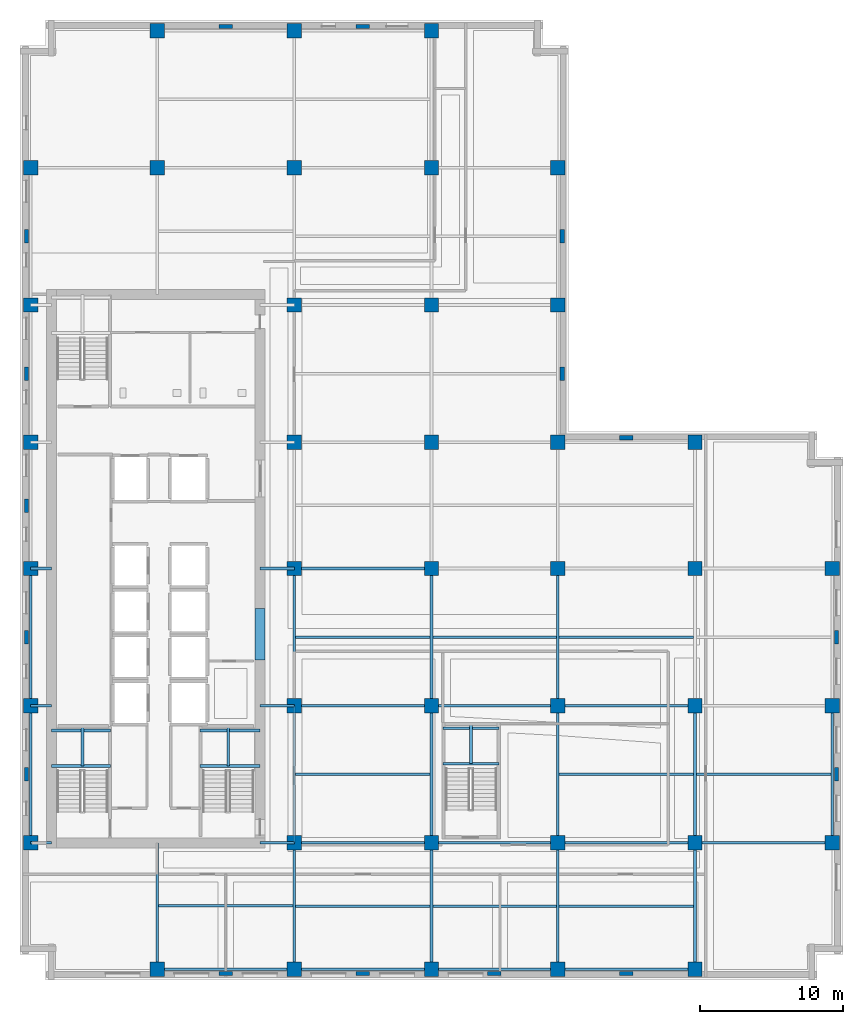
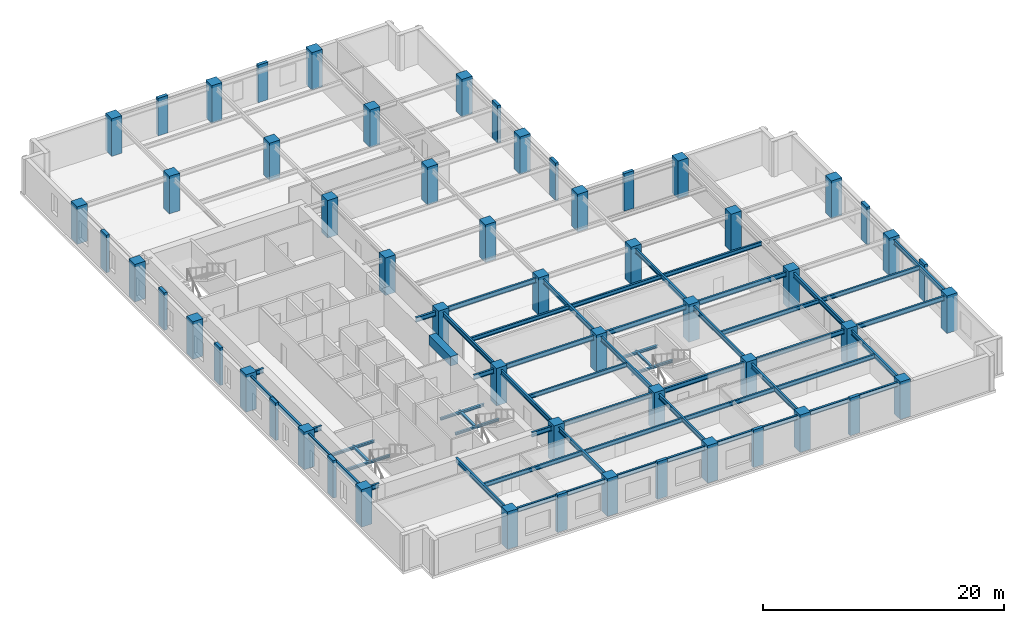
# One storey, part 1 of 12: 56 columns, 53 beams.
"""IFC4 building model written with IfcOpenShell, lengths in metres."""

from ifc_helpers import new_model, si_unit, direction, frame, origin, origin_2d, place, context, subcontext, project, spatial, rectangle, i_section, extrude, material, material_profile, profile_set, type_object, element, save


model = new_model("IFC4")

# Units and contexts
model_context = context("Model", 3, precision=1e-05, world=origin(), true_north=direction((0.0, 1.0)))
body_context = subcontext(model_context, "Body", "Model", "MODEL_VIEW")
ifc_project = project(units=[si_unit("LENGTHUNIT", "METRE"), si_unit("AREAUNIT", "SQUARE_METRE"), si_unit("VOLUMEUNIT", "CUBIC_METRE"), si_unit("PLANEANGLEUNIT", "RADIAN"), si_unit("MASSUNIT", "GRAM", prefix="KILO")], contexts=[model_context])

# Site, building, storey
site_placement = place(None, origin())
site = spatial("IfcSite", under=ifc_project, at=site_placement, CompositionType="ELEMENT")
building_placement = place(site_placement, origin())
building = spatial("IfcBuilding", under=site, at=building_placement, Name="Norrvale University Quadrangle", CompositionType="ELEMENT")
storey_placement = place(building_placement, frame((0.0, 0.0, 143.199951171875)))
storey = spatial("IfcBuildingStorey", under=building, at=storey_placement, Name="L36", CompositionType="ELEMENT", Elevation=143.199951171875)

# Columns
ifc_material_1 = material(Name="Red Manganese Brick Concrete C60/75", Category="concrete")
ifc_material_profile_1 = material_profile(ifc_material_1, rectangle(XDim=0.949951171875, YDim=0.300048828125, at=origin_2d()), Name="Red Manganese Brick Concrete C60/75")
ifc_profile_set_1 = profile_set([ifc_material_profile_1], Name="Red Manganese Brick Concrete C60/75")
column_type_1 = type_object("IfcColumnType", Name="Column Brick Pier 950x300", PredefinedType="PILASTER", material=ifc_profile_set_1)
for number, where, z_axis, x_axis, name in (
    (1, (0.449951171875, 14.39990234375, 0.0), (0.0, 0.0, 1.0), (0.0, 1.0, 0.0), "Exterior Brick Facade Pilaster L36-01"),
    (2, (0.449951171875, 24.0, 0.0), (0.0, 0.0, 1.0), (0.0, 1.0, 0.0), "Exterior Brick Facade Pilaster L36-02"),
    (3, (0.449951171875, 33.199951171875, 0.0), (0.0, 0.0, 1.0), (0.0, 1.0, 0.0), "Exterior Brick Facade Pilaster L36-03"),
    (4, (0.449951171875, 42.449951171875, 0.0), (0.0, 0.0, 1.0), (0.0, 1.0, 0.0), "Exterior Brick Facade Pilaster L36-04"),
    (5, (0.449951171875, 52.050048828125, 0.0), (0.0, 0.0, 1.0), (0.0, 1.0, 0.0), "Exterior Brick Facade Pilaster L36-05"),
    (6, (14.39990234375, 0.449951171875, 0.0), (0.0, 0.0, 1.0), (1.0, 0.0, 0.0), "Exterior Brick Facade Pilaster L36-06"),
    (7, (24.0, 0.449951171875, 0.0), (0.0, 0.0, 1.0), (1.0, 0.0, 0.0), "Exterior Brick Facade Pilaster L36-07"),
    (8, (33.199951171875, 0.449951171875, 0.0), (0.0, 0.0, 1.0), (1.0, 0.0, 0.0), "Exterior Brick Facade Pilaster L36-08"),
    (9, (42.449951171875, 0.449951171875, 0.0), (0.0, 0.0, 1.0), (1.0, 0.0, 0.0), "Exterior Brick Facade Pilaster L36-09"),
    (10, (57.14990234375, 14.39990234375, 0.0), (0.0, 0.0, 1.0), (0.0, 1.0, 0.0), "Exterior Brick Facade Pilaster L36-10"),
    (11, (57.14990234375, 24.0, 0.0), (0.0, 0.0, 1.0), (0.0, 1.0, 0.0), "Exterior Brick Facade Pilaster L36-11"),
    (12, (14.39990234375, 66.75, 0.0), (0.0, 0.0, 1.0), (1.0, 0.0, 0.0), "Exterior Brick Facade Pilaster L36-12"),
    (13, (24.0, 66.75, 0.0), (0.0, 0.0, 1.0), (1.0, 0.0, 0.0), "Exterior Brick Facade Pilaster L36-13"),
    (14, (37.949951171875, 42.449951171875, 0.0), (0.0, 0.0, 1.0), (0.0, 1.0, 0.0), "Exterior Brick Facade Pilaster L36-14"),
    (15, (37.949951171875, 52.050048828125, 0.0), (0.0, 0.0, 1.0), (0.0, 1.0, 0.0), "Exterior Brick Facade Pilaster L36-15"),
    (16, (42.449951171875, 37.949951171875, 0.0), (0.0, 0.0, 1.0), (1.0, 0.0, 0.0), "Exterior Brick Facade Pilaster L36-16"),
):
    element("IfcColumn", number, at=place(storey_placement, frame(where, z_axis=z_axis, x_axis=x_axis)), inside=storey, type_object=column_type_1, Name=name, PredefinedType="PILASTER", context=body_context, shape_type="SweptSolid", body=[
        extrude(rectangle(XDim=0.949951171875, YDim=0.300048828125, at=origin_2d()), origin(), (0.0, 0.0, 1.0), 3.800048828125),
    ])
ifc_material_2 = material(Name="Concrete C60/75", Category="concrete")
ifc_material_profile_2 = material_profile(ifc_material_2, rectangle(XDim=1.0, YDim=1.0, at=origin_2d()), Name="Concrete C60/75")
ifc_profile_set_2 = profile_set([ifc_material_profile_2], Name="Concrete C60/75")
column_type_2 = type_object("IfcColumnType", Name="Column Tower Z2 1000x1000", PredefinedType="COLUMN", material=ifc_profile_set_2)
for number, where, z_axis, x_axis, name in (
    (17, (0.75, 9.60009765625, 0.0), (0.0, 0.0, 1.0), (1.0, 0.0, 0.0), "Tower Column L36-T01"),
    (18, (0.75, 19.199951171875, 0.0), (0.0, 0.0, 1.0), (1.0, 0.0, 0.0), "Tower Column L36-T02"),
    (19, (0.75, 28.800048828125, 0.0), (0.0, 0.0, 1.0), (1.0, 0.0, 0.0), "Tower Column L36-T03"),
    (20, (0.75, 37.64990234375, 0.0), (0.0, 0.0, 1.0), (1.0, 0.0, 0.0), "Tower Column L36-T04"),
    (21, (0.75, 47.25, 0.0), (0.0, 0.0, 1.0), (1.0, 0.0, 0.0), "Tower Column L36-T05"),
    (22, (0.75, 56.85009765625, 0.0), (0.0, 0.0, 1.0), (1.0, 0.0, 0.0), "Tower Column L36-T06"),
    (23, (9.60009765625, 0.75, 0.0), (0.0, 0.0, 1.0), (1.0, 0.0, 0.0), "Tower Column L36-T07"),
    (24, (9.60009765625, 56.85009765625, 0.0), (0.0, 0.0, 1.0), (1.0, 0.0, 0.0), "Tower Column L36-T08"),
    (25, (9.60009765625, 66.449951171875, 0.0), (0.0, 0.0, 1.0), (1.0, 0.0, 0.0), "Tower Column L36-T09"),
    (26, (19.199951171875, 0.75, 0.0), (0.0, 0.0, 1.0), (1.0, 0.0, 0.0), "Tower Column L36-T10"),
    (27, (19.199951171875, 9.60009765625, 0.0), (0.0, 0.0, 1.0), (1.0, 0.0, 0.0), "Tower Column L36-T11"),
    (28, (19.199951171875, 19.199951171875, 0.0), (0.0, 0.0, 1.0), (1.0, 0.0, 0.0), "Tower Column L36-T12"),
    (29, (19.199951171875, 28.800048828125, 0.0), (0.0, 0.0, 1.0), (1.0, 0.0, 0.0), "Tower Column L36-T13"),
    (30, (19.199951171875, 37.64990234375, 0.0), (0.0, 0.0, 1.0), (1.0, 0.0, 0.0), "Tower Column L36-T14"),
    (31, (19.199951171875, 47.25, 0.0), (0.0, 0.0, 1.0), (1.0, 0.0, 0.0), "Tower Column L36-T15"),
    (32, (19.199951171875, 56.85009765625, 0.0), (0.0, 0.0, 1.0), (1.0, 0.0, 0.0), "Tower Column L36-T16"),
    (33, (19.199951171875, 66.449951171875, 0.0), (0.0, 0.0, 1.0), (1.0, 0.0, 0.0), "Tower Column L36-T17"),
    (34, (28.800048828125, 0.75, 0.0), (0.0, 0.0, 1.0), (1.0, 0.0, 0.0), "Tower Column L36-T18"),
    (35, (28.800048828125, 9.60009765625, 0.0), (0.0, 0.0, 1.0), (1.0, 0.0, 0.0), "Tower Column L36-T19"),
    (36, (28.800048828125, 19.199951171875, 0.0), (0.0, 0.0, 1.0), (1.0, 0.0, 0.0), "Tower Column L36-T20"),
    (37, (28.800048828125, 28.800048828125, 0.0), (0.0, 0.0, 1.0), (1.0, 0.0, 0.0), "Tower Column L36-T21"),
    (38, (28.800048828125, 37.64990234375, 0.0), (0.0, 0.0, 1.0), (1.0, 0.0, 0.0), "Tower Column L36-T22"),
    (39, (28.800048828125, 47.25, 0.0), (0.0, 0.0, 1.0), (1.0, 0.0, 0.0), "Tower Column L36-T23"),
    (40, (28.800048828125, 56.85009765625, 0.0), (0.0, 0.0, 1.0), (1.0, 0.0, 0.0), "Tower Column L36-T24"),
    (41, (28.800048828125, 66.449951171875, 0.0), (0.0, 0.0, 1.0), (1.0, 0.0, 0.0), "Tower Column L36-T25"),
    (42, (37.64990234375, 0.75, 0.0), (0.0, 0.0, 1.0), (1.0, 0.0, 0.0), "Tower Column L36-T26"),
    (43, (37.64990234375, 9.60009765625, 0.0), (0.0, 0.0, 1.0), (1.0, 0.0, 0.0), "Tower Column L36-T27"),
    (44, (37.64990234375, 19.199951171875, 0.0), (0.0, 0.0, 1.0), (1.0, 0.0, 0.0), "Tower Column L36-T28"),
    (45, (37.64990234375, 28.800048828125, 0.0), (0.0, 0.0, 1.0), (1.0, 0.0, 0.0), "Tower Column L36-T29"),
    (46, (37.64990234375, 37.64990234375, 0.0), (0.0, 0.0, 1.0), (1.0, 0.0, 0.0), "Tower Column L36-T30"),
    (47, (37.64990234375, 47.25, 0.0), (0.0, 0.0, 1.0), (1.0, 0.0, 0.0), "Tower Column L36-T31"),
    (48, (37.64990234375, 56.85009765625, 0.0), (0.0, 0.0, 1.0), (1.0, 0.0, 0.0), "Tower Column L36-T32"),
    (49, (47.25, 0.75, 0.0), (0.0, 0.0, 1.0), (1.0, 0.0, 0.0), "Tower Column L36-T33"),
    (50, (47.25, 9.60009765625, 0.0), (0.0, 0.0, 1.0), (1.0, 0.0, 0.0), "Tower Column L36-T34"),
    (51, (47.25, 19.199951171875, 0.0), (0.0, 0.0, 1.0), (1.0, 0.0, 0.0), "Tower Column L36-T35"),
    (52, (47.25, 28.800048828125, 0.0), (0.0, 0.0, 1.0), (1.0, 0.0, 0.0), "Tower Column L36-T36"),
    (53, (47.25, 37.64990234375, 0.0), (0.0, 0.0, 1.0), (1.0, 0.0, 0.0), "Tower Column L36-T37"),
    (54, (56.85009765625, 9.60009765625, 0.0), (0.0, 0.0, 1.0), (1.0, 0.0, 0.0), "Tower Column L36-T38"),
    (55, (56.85009765625, 19.199951171875, 0.0), (0.0, 0.0, 1.0), (1.0, 0.0, 0.0), "Tower Column L36-T39"),
    (56, (56.85009765625, 28.800048828125, 0.0), (0.0, 0.0, 1.0), (1.0, 0.0, 0.0), "Tower Column L36-T40"),
):
    element("IfcColumn", number, at=place(storey_placement, frame(where, z_axis=z_axis, x_axis=x_axis)), inside=storey, type_object=column_type_2, Name=name, PredefinedType="COLUMN", context=body_context, shape_type="SweptSolid", body=[
        extrude(rectangle(XDim=1.0, YDim=1.0, at=origin_2d()), origin(), (0.0, 0.0, 1.0), 3.800048828125),
    ])

# Beams
ifc_material_3 = material(Name="Steel 350W", Category="steel")
ifc_material_profile_3 = material_profile(ifc_material_3, i_section(OverallWidth=0.180908203125, OverallDepth=0.4169921875, WebThickness=0.010986328125, FlangeThickness=0.018310546875, FilletRadius=0.011962890625, at=origin_2d()), Name="Steel 350W")
ifc_profile_set_3 = profile_set([ifc_material_profile_3], Name="Steel 350W")
beam_type_1 = type_object("IfcBeamType", Name="Beam Atrium W410x85", PredefinedType="BEAM", material=ifc_profile_set_3)
for number, where, z_axis, x_axis, name in (
    (57, (19.297119140625, 5.175048828125, 3.33154296875), (1.0, 0.0, 0.0), (0.0, 1.0, 0.0), "Beam Atrium W410x85 BM-L36-J071"),
    (58, (19.297119140625, 14.39990234375, 3.33154296875), (1.0, 0.0, 0.0), (0.0, 1.0, 0.0), "Beam Atrium W410x85 BM-L36-J072"),
    (59, (19.297119140625, 24.0, 3.33154296875), (1.0, 0.0, 0.0), (0.0, 1.0, 0.0), "Beam Atrium W410x85 BM-L36-J073"),
):
    element("IfcBeam", number, at=place(storey_placement, frame(where, z_axis=z_axis, x_axis=x_axis)), inside=storey, type_object=beam_type_1, Name=name, PredefinedType="BEAM", context=body_context, shape_type="SweptSolid", body=[
        extrude(i_section(OverallWidth=0.180908203125, OverallDepth=0.4169921875, WebThickness=0.010986328125, FlangeThickness=0.018310546875, FilletRadius=0.011962890625, at=origin_2d()), origin(), (0.0, 0.0, 1.0), 9.40576171875),
    ])
for number, where, z_axis, x_axis, name in (
    (60, (28.89697265625, 5.175048828125, 3.33154296875), (1.0, 0.0, 0.0), (0.0, 1.0, 0.0), "Beam Atrium W410x85 BM-L36-J078"),
    (61, (28.89697265625, 24.0, 3.33154296875), (1.0, 0.0, 0.0), (0.0, 1.0, 0.0), "Beam Atrium W410x85 BM-L36-J079"),
):
    element("IfcBeam", number, at=place(storey_placement, frame(where, z_axis=z_axis, x_axis=x_axis)), inside=storey, type_object=beam_type_1, Name=name, PredefinedType="BEAM", context=body_context, shape_type="SweptSolid", body=[
        extrude(i_section(OverallWidth=0.180908203125, OverallDepth=0.4169921875, WebThickness=0.010986328125, FlangeThickness=0.018310546875, FilletRadius=0.011962890625, at=origin_2d()), origin(), (0.0, 0.0, 1.0), 8.656005859375),
    ])
for number, where, z_axis, x_axis, name in (
    (62, (37.7470703125, 5.175048828125, 3.33154296875), (1.0, 0.0, 0.0), (0.0, 1.0, 0.0), "Beam Atrium W410x85 BM-L36-J083"),
    (63, (37.7470703125, 14.39990234375, 3.33154296875), (1.0, 0.0, 0.0), (0.0, 1.0, 0.0), "Beam Atrium W410x85 BM-L36-J084"),
    (64, (37.7470703125, 24.0, 3.33154296875), (1.0, 0.0, 0.0), (0.0, 1.0, 0.0), "Beam Atrium W410x85 BM-L36-J085"),
    (65, (47.346923828125, 14.39990234375, 3.33154296875), (1.0, 0.0, 0.0), (0.0, 1.0, 0.0), "Beam Atrium W410x85 BM-L36-J087"),
    (66, (9.697021484375, 5.199951171875, 3.33154296875), (1.0, 0.0, 0.0), (0.0, 1.0, 0.0), "Beam Atrium W410x85 BM-L36-JCS090"),
):
    element("IfcBeam", number, at=place(storey_placement, frame(where, z_axis=z_axis, x_axis=x_axis)), inside=storey, type_object=beam_type_1, Name=name, PredefinedType="BEAM", context=body_context, shape_type="SweptSolid", body=[
        extrude(i_section(OverallWidth=0.180908203125, OverallDepth=0.4169921875, WebThickness=0.010986328125, FlangeThickness=0.018310546875, FilletRadius=0.011962890625, at=origin_2d()), origin(), (0.0, 0.0, 1.0), 9.406005859375),
    ])
ifc_material_4 = material(Name="Concrete C80/95", Category="concrete")
ifc_material_profile_4 = material_profile(ifc_material_4, rectangle(XDim=0.699951171875, YDim=0.949951171875, at=origin_2d()), Name="Concrete C80/95")
ifc_profile_set_4 = profile_set([ifc_material_profile_4], Name="Concrete C80/95")
beam_type_2 = type_object("IfcBeamType", Name="Beam Core Link 700x950", PredefinedType="LINTEL", material=ifc_profile_set_4)
beam_1_placement = place(storey_placement, frame((16.800048828125, 22.39990234375, 3.06494140625), z_axis=(0.0, 1.0, 0.0), x_axis=(-1.0, 0.0, 0.0)))
element("IfcBeam", 67, at=beam_1_placement, inside=storey, type_object=beam_type_2, Name="Core Coupling Lintel Beam L36-1", PredefinedType="LINTEL", context=body_context, shape_type="SweptSolid", body=[
    extrude(rectangle(XDim=0.699951171875, YDim=0.949951171875, at=origin_2d()), origin(), (0.0, 0.0, 1.0), 3.60009765625),
])
ifc_material_profile_5 = material_profile(ifc_material_3, i_section(OverallWidth=0.194091796875, OverallDepth=0.468994140625, WebThickness=0.0126953125, FlangeThickness=0.0205078125, FilletRadius=0.012939453125, at=origin_2d()), Name="Steel 350W")
ifc_profile_set_5 = profile_set([ifc_material_profile_5], Name="Steel 350W")
beam_type_3 = type_object("IfcBeamType", Name="Beam Floor W460x106", PredefinedType="BEAM", material=ifc_profile_set_5)
beam_2_placement = place(storey_placement, frame((9.60009765625, 0.75, 3.3056640625), z_axis=(1.0, 0.0, 0.0), x_axis=(0.0, 1.0, 0.0)))
element("IfcBeam", 68, at=beam_2_placement, inside=storey, type_object=beam_type_3, Name="Beam Floor W460x106 BM-L36-GX001", PredefinedType="BEAM", context=body_context, shape_type="SweptSolid", body=[
    extrude(i_section(OverallWidth=0.194091796875, OverallDepth=0.468994140625, WebThickness=0.0126953125, FlangeThickness=0.0205078125, FilletRadius=0.012939453125, at=origin_2d()), origin(), (0.0, 0.0, 1.0), 9.599853515625),
])
beam_3_placement = place(storey_placement, frame((19.199951171875, 0.75, 3.3056640625), z_axis=(1.0, 0.0, 0.0), x_axis=(0.0, 1.0, 0.0)))
element("IfcBeam", 69, at=beam_3_placement, inside=storey, type_object=beam_type_3, Name="Beam Floor W460x106 BM-L36-GX002", PredefinedType="BEAM", context=body_context, shape_type="SweptSolid", body=[
    extrude(i_section(OverallWidth=0.194091796875, OverallDepth=0.468994140625, WebThickness=0.0126953125, FlangeThickness=0.0205078125, FilletRadius=0.012939453125, at=origin_2d()), origin(), (0.0, 0.0, 1.0), 9.60009765625),
])
beam_4_placement = place(storey_placement, frame((28.800048828125, 0.75, 3.3056640625), z_axis=(1.0, 0.0, 0.0), x_axis=(0.0, 1.0, 0.0)))
element("IfcBeam", 70, at=beam_4_placement, inside=storey, type_object=beam_type_3, Name="Beam Floor W460x106 BM-L36-GX003", PredefinedType="BEAM", context=body_context, shape_type="SweptSolid", body=[
    extrude(i_section(OverallWidth=0.194091796875, OverallDepth=0.468994140625, WebThickness=0.0126953125, FlangeThickness=0.0205078125, FilletRadius=0.012939453125, at=origin_2d()), origin(), (0.0, 0.0, 1.0), 8.849853515625),
])
for number, where, z_axis, x_axis, name in (
    (71, (37.64990234375, 0.75, 3.3056640625), (1.0, 0.0, 0.0), (0.0, 1.0, 0.0), "Beam Floor W460x106 BM-L36-GX004"),
    (72, (19.199951171875, 9.60009765625, 3.3056640625), (1.0, 0.0, 0.0), (0.0, 1.0, 0.0), "Beam Floor W460x106 BM-L36-GX005"),
):
    element("IfcBeam", number, at=place(storey_placement, frame(where, z_axis=z_axis, x_axis=x_axis)), inside=storey, type_object=beam_type_3, Name=name, PredefinedType="BEAM", context=body_context, shape_type="SweptSolid", body=[
        extrude(i_section(OverallWidth=0.194091796875, OverallDepth=0.468994140625, WebThickness=0.0126953125, FlangeThickness=0.0205078125, FilletRadius=0.012939453125, at=origin_2d()), origin(), (0.0, 0.0, 1.0), 9.60009765625),
    ])
beam_5_placement = place(storey_placement, frame((28.800048828125, 9.60009765625, 3.3056640625), z_axis=(1.0, 0.0, 0.0), x_axis=(0.0, 1.0, 0.0)))
element("IfcBeam", 73, at=beam_5_placement, inside=storey, type_object=beam_type_3, Name="Beam Floor W460x106 BM-L36-GX006", PredefinedType="BEAM", context=body_context, shape_type="SweptSolid", body=[
    extrude(i_section(OverallWidth=0.194091796875, OverallDepth=0.468994140625, WebThickness=0.0126953125, FlangeThickness=0.0205078125, FilletRadius=0.012939453125, at=origin_2d()), origin(), (0.0, 0.0, 1.0), 8.849853515625),
])
for number, where, z_axis, x_axis, name in (
    (74, (37.64990234375, 9.60009765625, 3.3056640625), (1.0, 0.0, 0.0), (0.0, 1.0, 0.0), "Beam Floor W460x106 BM-L36-GX007"),
    (75, (47.25, 9.60009765625, 3.3056640625), (1.0, 0.0, 0.0), (0.0, 1.0, 0.0), "Beam Floor W460x106 BM-L36-GX008"),
    (76, (19.199951171875, 19.199951171875, 3.3056640625), (1.0, 0.0, 0.0), (0.0, 1.0, 0.0), "Beam Floor W460x106 BM-L36-GX009"),
):
    element("IfcBeam", number, at=place(storey_placement, frame(where, z_axis=z_axis, x_axis=x_axis)), inside=storey, type_object=beam_type_3, Name=name, PredefinedType="BEAM", context=body_context, shape_type="SweptSolid", body=[
        extrude(i_section(OverallWidth=0.194091796875, OverallDepth=0.468994140625, WebThickness=0.0126953125, FlangeThickness=0.0205078125, FilletRadius=0.012939453125, at=origin_2d()), origin(), (0.0, 0.0, 1.0), 9.60009765625),
    ])
beam_6_placement = place(storey_placement, frame((28.800048828125, 19.199951171875, 3.3056640625), z_axis=(1.0, 0.0, 0.0), x_axis=(0.0, 1.0, 0.0)))
element("IfcBeam", 77, at=beam_6_placement, inside=storey, type_object=beam_type_3, Name="Beam Floor W460x106 BM-L36-GX010", PredefinedType="BEAM", context=body_context, shape_type="SweptSolid", body=[
    extrude(i_section(OverallWidth=0.194091796875, OverallDepth=0.468994140625, WebThickness=0.0126953125, FlangeThickness=0.0205078125, FilletRadius=0.012939453125, at=origin_2d()), origin(), (0.0, 0.0, 1.0), 8.849853515625),
])
for number, where, z_axis, x_axis, name in (
    (78, (37.64990234375, 19.199951171875, 3.3056640625), (1.0, 0.0, 0.0), (0.0, 1.0, 0.0), "Beam Floor W460x106 BM-L36-GX011"),
    (79, (19.199951171875, 28.800048828125, 3.3056640625), (1.0, 0.0, 0.0), (0.0, 1.0, 0.0), "Beam Floor W460x106 BM-L36-GX013"),
):
    element("IfcBeam", number, at=place(storey_placement, frame(where, z_axis=z_axis, x_axis=x_axis)), inside=storey, type_object=beam_type_3, Name=name, PredefinedType="BEAM", context=body_context, shape_type="SweptSolid", body=[
        extrude(i_section(OverallWidth=0.194091796875, OverallDepth=0.468994140625, WebThickness=0.0126953125, FlangeThickness=0.0205078125, FilletRadius=0.012939453125, at=origin_2d()), origin(), (0.0, 0.0, 1.0), 9.60009765625),
    ])
beam_7_placement = place(storey_placement, frame((0.75, 9.60009765625, 3.3056640625), z_axis=(0.0, 1.0, 0.0), x_axis=(-1.0, 0.0, 0.0)))
element("IfcBeam", 80, at=beam_7_placement, inside=storey, type_object=beam_type_3, Name="Beam Floor W460x106 BM-L36-GY028", PredefinedType="BEAM", context=body_context, shape_type="SweptSolid", body=[
    extrude(i_section(OverallWidth=0.194091796875, OverallDepth=0.468994140625, WebThickness=0.0126953125, FlangeThickness=0.0205078125, FilletRadius=0.012939453125, at=origin_2d()), origin(), (0.0, 0.0, 1.0), 9.599853515625),
])
beam_8_placement = place(storey_placement, frame((0.75, 19.199951171875, 3.3056640625), z_axis=(0.0, 1.0, 0.0), x_axis=(-1.0, 0.0, 0.0)))
element("IfcBeam", 81, at=beam_8_placement, inside=storey, type_object=beam_type_3, Name="Beam Floor W460x106 BM-L36-GY029", PredefinedType="BEAM", context=body_context, shape_type="SweptSolid", body=[
    extrude(i_section(OverallWidth=0.194091796875, OverallDepth=0.468994140625, WebThickness=0.0126953125, FlangeThickness=0.0205078125, FilletRadius=0.012939453125, at=origin_2d()), origin(), (0.0, 0.0, 1.0), 9.60009765625),
])
beam_9_placement = place(storey_placement, frame((19.199951171875, 0.75, 3.3056640625), z_axis=(0.0, 1.0, 0.0), x_axis=(-1.0, 0.0, 0.0)))
element("IfcBeam", 82, at=beam_9_placement, inside=storey, type_object=beam_type_3, Name="Beam Floor W460x106 BM-L36-GY034", PredefinedType="BEAM", context=body_context, shape_type="SweptSolid", body=[
    extrude(i_section(OverallWidth=0.194091796875, OverallDepth=0.468994140625, WebThickness=0.0126953125, FlangeThickness=0.0205078125, FilletRadius=0.012939453125, at=origin_2d()), origin(), (0.0, 0.0, 1.0), 8.85009765625),
])
beam_10_placement = place(storey_placement, frame((19.199951171875, 9.60009765625, 3.3056640625), z_axis=(0.0, 1.0, 0.0), x_axis=(-1.0, 0.0, 0.0)))
element("IfcBeam", 83, at=beam_10_placement, inside=storey, type_object=beam_type_3, Name="Beam Floor W460x106 BM-L36-GY035", PredefinedType="BEAM", context=body_context, shape_type="SweptSolid", body=[
    extrude(i_section(OverallWidth=0.194091796875, OverallDepth=0.468994140625, WebThickness=0.0126953125, FlangeThickness=0.0205078125, FilletRadius=0.012939453125, at=origin_2d()), origin(), (0.0, 0.0, 1.0), 9.599853515625),
])
beam_11_placement = place(storey_placement, frame((19.199951171875, 19.199951171875, 3.3056640625), z_axis=(0.0, 1.0, 0.0), x_axis=(-1.0, 0.0, 0.0)))
element("IfcBeam", 84, at=beam_11_placement, inside=storey, type_object=beam_type_3, Name="Beam Floor W460x106 BM-L36-GY036", PredefinedType="BEAM", context=body_context, shape_type="SweptSolid", body=[
    extrude(i_section(OverallWidth=0.194091796875, OverallDepth=0.468994140625, WebThickness=0.0126953125, FlangeThickness=0.0205078125, FilletRadius=0.012939453125, at=origin_2d()), origin(), (0.0, 0.0, 1.0), 9.60009765625),
])
beam_12_placement = place(storey_placement, frame((28.800048828125, 0.75, 3.3056640625), z_axis=(0.0, 1.0, 0.0), x_axis=(-1.0, 0.0, 0.0)))
element("IfcBeam", 85, at=beam_12_placement, inside=storey, type_object=beam_type_3, Name="Beam Floor W460x106 BM-L36-GY041", PredefinedType="BEAM", context=body_context, shape_type="SweptSolid", body=[
    extrude(i_section(OverallWidth=0.194091796875, OverallDepth=0.468994140625, WebThickness=0.0126953125, FlangeThickness=0.0205078125, FilletRadius=0.012939453125, at=origin_2d()), origin(), (0.0, 0.0, 1.0), 8.85009765625),
])
beam_13_placement = place(storey_placement, frame((28.800048828125, 9.60009765625, 3.3056640625), z_axis=(0.0, 1.0, 0.0), x_axis=(-1.0, 0.0, 0.0)))
element("IfcBeam", 86, at=beam_13_placement, inside=storey, type_object=beam_type_3, Name="Beam Floor W460x106 BM-L36-GY042", PredefinedType="BEAM", context=body_context, shape_type="SweptSolid", body=[
    extrude(i_section(OverallWidth=0.194091796875, OverallDepth=0.468994140625, WebThickness=0.0126953125, FlangeThickness=0.0205078125, FilletRadius=0.012939453125, at=origin_2d()), origin(), (0.0, 0.0, 1.0), 9.599853515625),
])
beam_14_placement = place(storey_placement, frame((28.800048828125, 19.199951171875, 3.3056640625), z_axis=(0.0, 1.0, 0.0), x_axis=(-1.0, 0.0, 0.0)))
element("IfcBeam", 87, at=beam_14_placement, inside=storey, type_object=beam_type_3, Name="Beam Floor W460x106 BM-L36-GY043", PredefinedType="BEAM", context=body_context, shape_type="SweptSolid", body=[
    extrude(i_section(OverallWidth=0.194091796875, OverallDepth=0.468994140625, WebThickness=0.0126953125, FlangeThickness=0.0205078125, FilletRadius=0.012939453125, at=origin_2d()), origin(), (0.0, 0.0, 1.0), 9.60009765625),
])
beam_15_placement = place(storey_placement, frame((37.64990234375, 0.75, 3.3056640625), z_axis=(0.0, 1.0, 0.0), x_axis=(-1.0, 0.0, 0.0)))
element("IfcBeam", 88, at=beam_15_placement, inside=storey, type_object=beam_type_3, Name="Beam Floor W460x106 BM-L36-GY048", PredefinedType="BEAM", context=body_context, shape_type="SweptSolid", body=[
    extrude(i_section(OverallWidth=0.194091796875, OverallDepth=0.468994140625, WebThickness=0.0126953125, FlangeThickness=0.0205078125, FilletRadius=0.012939453125, at=origin_2d()), origin(), (0.0, 0.0, 1.0), 8.85009765625),
])
beam_16_placement = place(storey_placement, frame((37.64990234375, 9.60009765625, 3.3056640625), z_axis=(0.0, 1.0, 0.0), x_axis=(-1.0, 0.0, 0.0)))
element("IfcBeam", 89, at=beam_16_placement, inside=storey, type_object=beam_type_3, Name="Beam Floor W460x106 BM-L36-GY049", PredefinedType="BEAM", context=body_context, shape_type="SweptSolid", body=[
    extrude(i_section(OverallWidth=0.194091796875, OverallDepth=0.468994140625, WebThickness=0.0126953125, FlangeThickness=0.0205078125, FilletRadius=0.012939453125, at=origin_2d()), origin(), (0.0, 0.0, 1.0), 9.599853515625),
])
beam_17_placement = place(storey_placement, frame((37.64990234375, 19.199951171875, 3.3056640625), z_axis=(0.0, 1.0, 0.0), x_axis=(-1.0, 0.0, 0.0)))
element("IfcBeam", 90, at=beam_17_placement, inside=storey, type_object=beam_type_3, Name="Beam Floor W460x106 BM-L36-GY050", PredefinedType="BEAM", context=body_context, shape_type="SweptSolid", body=[
    extrude(i_section(OverallWidth=0.194091796875, OverallDepth=0.468994140625, WebThickness=0.0126953125, FlangeThickness=0.0205078125, FilletRadius=0.012939453125, at=origin_2d()), origin(), (0.0, 0.0, 1.0), 9.60009765625),
])
beam_18_placement = place(storey_placement, frame((47.25, 0.75, 3.3056640625), z_axis=(0.0, 1.0, 0.0), x_axis=(-1.0, 0.0, 0.0)))
element("IfcBeam", 91, at=beam_18_placement, inside=storey, type_object=beam_type_3, Name="Beam Floor W460x106 BM-L36-GY054", PredefinedType="BEAM", context=body_context, shape_type="SweptSolid", body=[
    extrude(i_section(OverallWidth=0.194091796875, OverallDepth=0.468994140625, WebThickness=0.0126953125, FlangeThickness=0.0205078125, FilletRadius=0.012939453125, at=origin_2d()), origin(), (0.0, 0.0, 1.0), 8.85009765625),
])
for number, where, z_axis, x_axis, name in (
    (92, (47.25, 9.60009765625, 3.3056640625), (0.0, 1.0, 0.0), (-1.0, 0.0, 0.0), "Beam Floor W460x106 BM-L36-GY055"),
    (93, (56.85009765625, 9.60009765625, 3.3056640625), (0.0, 1.0, 0.0), (-1.0, 0.0, 0.0), "Beam Floor W460x106 BM-L36-GY058"),
):
    element("IfcBeam", number, at=place(storey_placement, frame(where, z_axis=z_axis, x_axis=x_axis)), inside=storey, type_object=beam_type_3, Name=name, PredefinedType="BEAM", context=body_context, shape_type="SweptSolid", body=[
        extrude(i_section(OverallWidth=0.194091796875, OverallDepth=0.468994140625, WebThickness=0.0126953125, FlangeThickness=0.0205078125, FilletRadius=0.012939453125, at=origin_2d()), origin(), (0.0, 0.0, 1.0), 9.599853515625),
    ])
beam_19_placement = place(storey_placement, frame((0.75, 9.60009765625, 3.3056640625), z_axis=(1.0, 0.0, 0.0), x_axis=(0.0, 1.0, 0.0)))
element("IfcBeam", 94, at=beam_19_placement, inside=storey, type_object=beam_type_3, Name="Beam Floor W460x106 BM-L36-GCW060", PredefinedType="BEAM", context=body_context, shape_type="SweptSolid", body=[
    extrude(i_section(OverallWidth=0.194091796875, OverallDepth=0.468994140625, WebThickness=0.0126953125, FlangeThickness=0.0205078125, FilletRadius=0.012939453125, at=origin_2d()), origin(), (0.0, 0.0, 1.0), 1.449951171875),
])
beam_20_placement = place(storey_placement, frame((16.800048828125, 9.60009765625, 3.3056640625), z_axis=(1.0, 0.0, 0.0), x_axis=(0.0, 1.0, 0.0)))
element("IfcBeam", 95, at=beam_20_placement, inside=storey, type_object=beam_type_3, Name="Beam Floor W460x106 BM-L36-GCE061", PredefinedType="BEAM", context=body_context, shape_type="SweptSolid", body=[
    extrude(i_section(OverallWidth=0.194091796875, OverallDepth=0.468994140625, WebThickness=0.0126953125, FlangeThickness=0.0205078125, FilletRadius=0.012939453125, at=origin_2d()), origin(), (0.0, 0.0, 1.0), 2.39990234375),
])
beam_21_placement = place(storey_placement, frame((0.75, 19.199951171875, 3.3056640625), z_axis=(1.0, 0.0, 0.0), x_axis=(0.0, 1.0, 0.0)))
element("IfcBeam", 96, at=beam_21_placement, inside=storey, type_object=beam_type_3, Name="Beam Floor W460x106 BM-L36-GCW062", PredefinedType="BEAM", context=body_context, shape_type="SweptSolid", body=[
    extrude(i_section(OverallWidth=0.194091796875, OverallDepth=0.468994140625, WebThickness=0.0126953125, FlangeThickness=0.0205078125, FilletRadius=0.012939453125, at=origin_2d()), origin(), (0.0, 0.0, 1.0), 1.449951171875),
])
beam_22_placement = place(storey_placement, frame((16.800048828125, 19.199951171875, 3.3056640625), z_axis=(1.0, 0.0, 0.0), x_axis=(0.0, 1.0, 0.0)))
element("IfcBeam", 97, at=beam_22_placement, inside=storey, type_object=beam_type_3, Name="Beam Floor W460x106 BM-L36-GCE063", PredefinedType="BEAM", context=body_context, shape_type="SweptSolid", body=[
    extrude(i_section(OverallWidth=0.194091796875, OverallDepth=0.468994140625, WebThickness=0.0126953125, FlangeThickness=0.0205078125, FilletRadius=0.012939453125, at=origin_2d()), origin(), (0.0, 0.0, 1.0), 2.39990234375),
])
beam_23_placement = place(storey_placement, frame((0.75, 28.800048828125, 3.3056640625), z_axis=(1.0, 0.0, 0.0), x_axis=(0.0, 1.0, 0.0)))
element("IfcBeam", 98, at=beam_23_placement, inside=storey, type_object=beam_type_3, Name="Beam Floor W460x106 BM-L36-GCW064", PredefinedType="BEAM", context=body_context, shape_type="SweptSolid", body=[
    extrude(i_section(OverallWidth=0.194091796875, OverallDepth=0.468994140625, WebThickness=0.0126953125, FlangeThickness=0.0205078125, FilletRadius=0.012939453125, at=origin_2d()), origin(), (0.0, 0.0, 1.0), 1.449951171875),
])
beam_24_placement = place(storey_placement, frame((16.800048828125, 28.800048828125, 3.3056640625), z_axis=(1.0, 0.0, 0.0), x_axis=(0.0, 1.0, 0.0)))
element("IfcBeam", 99, at=beam_24_placement, inside=storey, type_object=beam_type_3, Name="Beam Floor W460x106 BM-L36-GCE065", PredefinedType="BEAM", context=body_context, shape_type="SweptSolid", body=[
    extrude(i_section(OverallWidth=0.194091796875, OverallDepth=0.468994140625, WebThickness=0.0126953125, FlangeThickness=0.0205078125, FilletRadius=0.012939453125, at=origin_2d()), origin(), (0.0, 0.0, 1.0), 2.39990234375),
])
beam_25_placement = place(storey_placement, frame((9.60009765625, 0.75, 3.3056640625), z_axis=(0.0, 1.0, 0.0), x_axis=(-1.0, 0.0, 0.0)))
element("IfcBeam", 100, at=beam_25_placement, inside=storey, type_object=beam_type_3, Name="Beam Floor W460x106 BM-L36-GCS089", PredefinedType="BEAM", context=body_context, shape_type="SweptSolid", body=[
    extrude(i_section(OverallWidth=0.194091796875, OverallDepth=0.468994140625, WebThickness=0.0126953125, FlangeThickness=0.0205078125, FilletRadius=0.012939453125, at=origin_2d()), origin(), (0.0, 0.0, 1.0), 8.85009765625),
])
ifc_material_profile_6 = material_profile(ifc_material_3, i_section(OverallWidth=0.201904296875, OverallDepth=0.2470703125, WebThickness=0.00732421875, FlangeThickness=0.010986328125, FilletRadius=0.011962890625, at=origin_2d()), Name="Steel 350W")
ifc_profile_set_6 = profile_set([ifc_material_profile_6], Name="Steel 350W")
beam_type_4 = type_object("IfcBeamType", Name="Beam Stair W250x49", PredefinedType="BEAM", material=ifc_profile_set_6)
for number, where, z_axis, x_axis, name in (
    (101, (2.199951171875, 14.989990234375, 1.57666015625), (1.0, 0.0, 0.0), (0.0, 1.0, 0.0), "Stair Mid-Landing Front Beam ST-01 L36"),
    (102, (2.199951171875, 17.469970703125, 1.57666015625), (1.0, 0.0, 0.0), (0.0, 1.0, 0.0), "Stair Mid-Landing Rear Beam ST-01 L36"),
):
    element("IfcBeam", number, at=place(storey_placement, frame(where, z_axis=z_axis, x_axis=x_axis)), inside=storey, type_object=beam_type_4, Name=name, PredefinedType="BEAM", context=body_context, shape_type="SweptSolid", body=[
        extrude(i_section(OverallWidth=0.201904296875, OverallDepth=0.2470703125, WebThickness=0.00732421875, FlangeThickness=0.010986328125, FilletRadius=0.011962890625, at=origin_2d()), origin(), (0.0, 0.0, 1.0), 4.14013671875),
    ])
for number, where, z_axis, x_axis, name in (
    (103, (12.610107421875, 14.989990234375, 1.57666015625), (1.0, 0.0, 0.0), (0.0, 1.0, 0.0), "Stair Mid-Landing Front Beam ST-03 L36"),
    (104, (12.610107421875, 17.469970703125, 1.57666015625), (1.0, 0.0, 0.0), (0.0, 1.0, 0.0), "Stair Mid-Landing Rear Beam ST-03 L36"),
):
    element("IfcBeam", number, at=place(storey_placement, frame(where, z_axis=z_axis, x_axis=x_axis)), inside=storey, type_object=beam_type_4, Name=name, PredefinedType="BEAM", context=body_context, shape_type="SweptSolid", body=[
        extrude(i_section(OverallWidth=0.201904296875, OverallDepth=0.2470703125, WebThickness=0.00732421875, FlangeThickness=0.010986328125, FilletRadius=0.011962890625, at=origin_2d()), origin(), (0.0, 0.0, 1.0), 4.18994140625),
    ])
for number, where, z_axis, x_axis, name in (
    (105, (29.610107421875, 15.139892578125, 1.57666015625), (1.0, 0.0, 0.0), (0.0, 1.0, 0.0), "Stair Mid-Landing Front Beam ST-04 L36"),
    (106, (29.610107421875, 17.6201171875, 1.57666015625), (1.0, 0.0, 0.0), (0.0, 1.0, 0.0), "Stair Mid-Landing Rear Beam ST-04 L36"),
):
    element("IfcBeam", number, at=place(storey_placement, frame(where, z_axis=z_axis, x_axis=x_axis)), inside=storey, type_object=beam_type_4, Name=name, PredefinedType="BEAM", context=body_context, shape_type="SweptSolid", body=[
        extrude(i_section(OverallWidth=0.201904296875, OverallDepth=0.2470703125, WebThickness=0.00732421875, FlangeThickness=0.010986328125, FilletRadius=0.011962890625, at=origin_2d()), origin(), (0.0, 0.0, 1.0), 3.929931640625),
    ])
ifc_material_profile_7 = material_profile(ifc_material_3, i_section(OverallWidth=0.202880859375, OverallDepth=0.202880859375, WebThickness=0.007080078125, FlangeThickness=0.010986328125, FilletRadius=0.010009765625, at=origin_2d()), Name="Steel 350W")
ifc_profile_set_7 = profile_set([ifc_material_profile_7], Name="Steel 350W")
beam_type_5 = type_object("IfcBeamType", Name="Beam Trim W200x46", PredefinedType="BEAM", material=ifc_profile_set_7)
for number, where, z_axis, x_axis, name in (
    (107, (4.375, 14.989990234375, 1.5986328125), (0.0, 1.0, 0.0), (-1.0, 0.0, 0.0), "Stair Mid-Landing Cross Beam ST-01 L36"),
    (108, (14.574951171875, 14.989990234375, 1.5986328125), (0.0, 1.0, 0.0), (-1.0, 0.0, 0.0), "Stair Mid-Landing Cross Beam ST-03 L36"),
    (109, (31.574951171875, 15.139892578125, 1.5986328125), (0.0, 1.0, 0.0), (-1.0, 0.0, 0.0), "Stair Mid-Landing Cross Beam ST-04 L36"),
):
    element("IfcBeam", number, at=place(storey_placement, frame(where, z_axis=z_axis, x_axis=x_axis)), inside=storey, type_object=beam_type_5, Name=name, PredefinedType="BEAM", context=body_context, shape_type="SweptSolid", body=[
        extrude(i_section(OverallWidth=0.202880859375, OverallDepth=0.202880859375, WebThickness=0.007080078125, FlangeThickness=0.010986328125, FilletRadius=0.010009765625, at=origin_2d()), origin(), (0.0, 0.0, 1.0), 2.800048828125),
    ])

save(model, "model.ifc")
